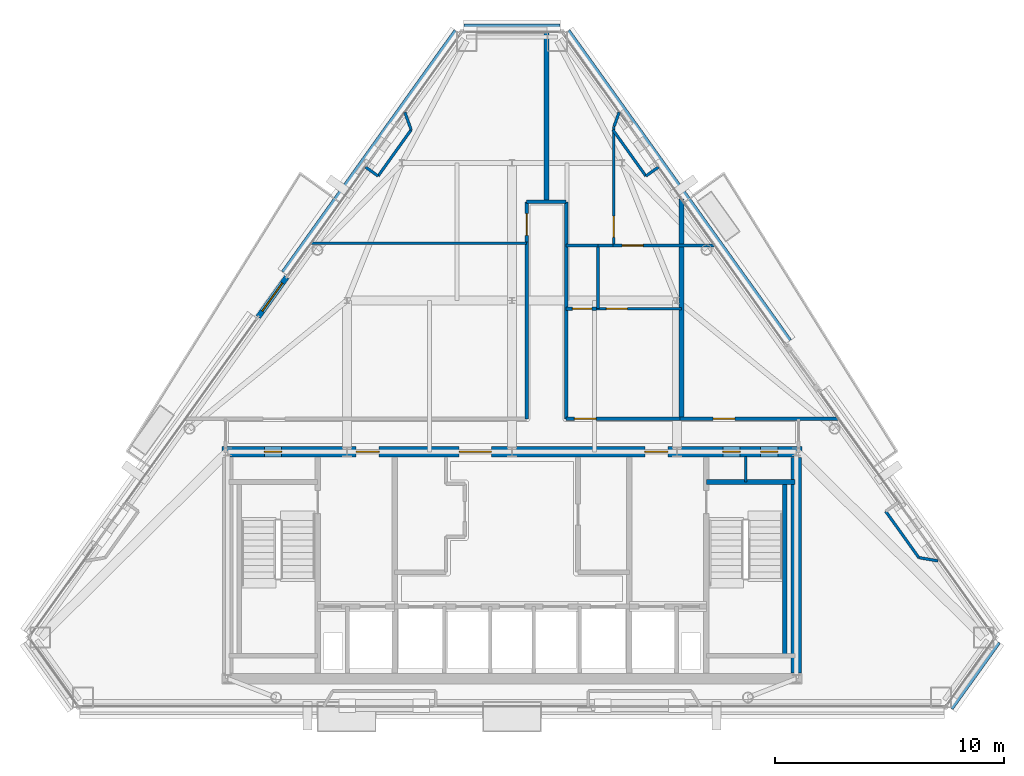
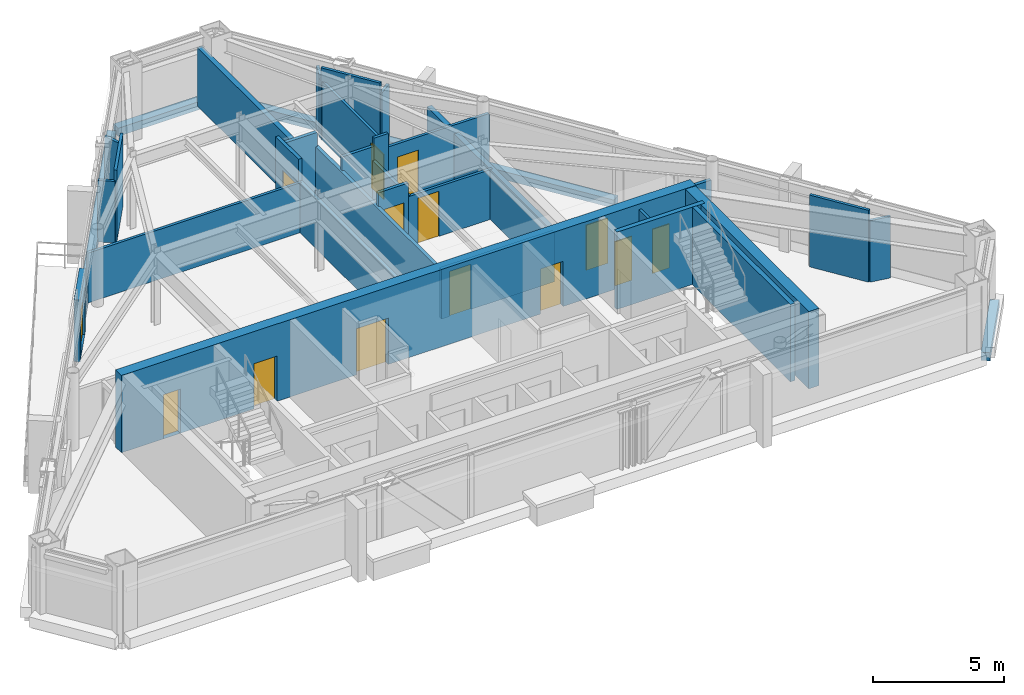
# One storey, part 9 of 12: 34 walls, 14 doors, 14 openings.
"""IFC4 building model written with IfcOpenShell, lengths in metres."""

from ifc_helpers import new_model, si_unit, direction, frame, frame_2d, origin, place, context, subcontext, project, spatial, rectangle, extrude, material, layer, layer_set, type_object, element, fill, save


model = new_model("IFC4")

# Units and contexts
model_context = context("Model", 3, precision=1e-05, world=origin(), true_north=direction((0.0, 1.0)))
body_context = subcontext(model_context, "Body", "Model", "MODEL_VIEW")
ifc_project = project(units=[si_unit("LENGTHUNIT", "METRE"), si_unit("AREAUNIT", "SQUARE_METRE"), si_unit("VOLUMEUNIT", "CUBIC_METRE"), si_unit("PLANEANGLEUNIT", "RADIAN"), si_unit("MASSUNIT", "GRAM", prefix="KILO")], contexts=[model_context])

# Site, building, storey
site_placement = place(None, origin())
site = spatial("IfcSite", under=ifc_project, at=site_placement, CompositionType="ELEMENT")
building_placement = place(site_placement, origin())
building = spatial("IfcBuilding", under=site, at=building_placement, Name="Talgorran Terracotta Tower", CompositionType="ELEMENT")
storey_placement = place(building_placement, frame((0.0, 0.0, 267.0)))
storey = spatial("IfcBuildingStorey", under=building, at=storey_placement, Name="L70", CompositionType="ELEMENT", Elevation=267.0)

# Wall, opening, door
ifc_material_1 = material(Name="Concrete C40/50", Category="concrete")
ifc_layer_1 = layer(ifc_material_1, 0.239990234375, Name="WT_BALCONY_SPAND")
ifc_layer_set_1 = layer_set([ifc_layer_1], Name="Concrete C40/50")
wall_type_1 = type_object("IfcWallType", Name="WT_BALCONY_SPAND", PredefinedType="STANDARD", material=ifc_layer_set_1)
wall_1_placement = place(storey_placement, frame((-9.830810546875, 3.42041015625, -0.014892578125), z_axis=(0.0, 0.0, 1.0), x_axis=(-0.581756116184, -0.81336327756, 0.0)))
wall_1 = element("IfcWall", 1, at=wall_1_placement, inside=storey, type_object=wall_type_1, Name="WL-L70-BALP-BAL-NW", PredefinedType="STANDARD", context=body_context, shape_type="SweptSolid", body=[
    extrude(rectangle(XDim=2.139892578125, YDim=0.239990234375, at=frame_2d((1.06982421875, 0.0))), origin(), (0.0, 0.0, 1.0), 2.8779296875),
])
opening_1_placement = place(wall_1_placement, frame((0.320068359375, 0.0, 0.014892578125)))
opening_1 = element("IfcOpeningElement", 2, at=opening_1_placement, cuts=wall_1, Name="Opening D-BAL-L70-2", PredefinedType="OPENING", context=body_context, shape_type="SweptSolid", body=[
    extrude(rectangle(XDim=1.506, YDim=2.203951171875, at=frame_2d((0.75, 1.10205078125))), frame((0.0, 0.1298828125, 0.0), z_axis=(0.0, -1.0, 0.0), x_axis=(1.0, 0.0, 0.0)), (0.0, 0.0, 1.0), 0.260009765625),
])
ifc_material_2 = material(Name="Thermally Broken Aluminium", Category="aluminium")
door_type_1 = type_object("IfcDoorType", Name="DT_BALC_1500", OperationType="SLIDING_TO_RIGHT", PredefinedType="DOOR", material=ifc_material_2)
door_1_placement = place(opening_1_placement, origin())
door_1 = element("IfcDoor", 3, at=door_1_placement, inside=storey, type_object=door_type_1, Name="DR-L70-BAL-BAL-NW", OperationType="SLIDING_TO_RIGHT", OverallHeight=2.199951171875, OverallWidth=1.5, PredefinedType="DOOR", context=body_context, shape_type="SweptSolid", body=[
    extrude(rectangle(XDim=1.5, YDim=2.199951171875, at=frame_2d((0.75, 1.10009765625))), frame((0.0, 0.02490234375, 0.0), z_axis=(0.0, -1.0, 0.0), x_axis=(1.0, 0.0, 0.0)), (0.0, 0.0, 1.0), 0.050048828125),
])
fill(opening_1, door_1)

# Walls
ifc_material_3 = material(Name="Concrete C50/60", Category="concrete")
ifc_layer_2 = layer(ifc_material_3, 0.199951171875, Name="WT_CORE_200")
ifc_layer_set_2 = layer_set([ifc_layer_2], Name="Concrete C50/60")
wall_type_2 = type_object("IfcWallType", Name="WT_CORE_200", PredefinedType="SOLIDWALL", material=ifc_layer_set_2)
wall_2_placement = place(storey_placement, frame((8.47998046875, -5.52001953125, 0.0), z_axis=(0.0, 0.0, 1.0), x_axis=(1.0, 0.0, 0.0)))
element("IfcWall", 4, at=wall_2_placement, inside=storey, type_object=wall_type_2, Name="WL-L70-CW-ST2-N", PredefinedType="SOLIDWALL", context=body_context, shape_type="SweptSolid", body=[
    extrude(rectangle(XDim=3.8701171875, YDim=0.199951171875, at=frame_2d((1.93505859375, 0.0))), origin(), (0.0, 0.0, 1.0), 3.60009765625),
])
wall_3_placement = place(storey_placement, frame((11.89990234375, -13.10009765625, 0.0), z_axis=(0.0, 0.0, 1.0), x_axis=(0.0, 1.0, 0.0)))
element("IfcWall", 5, at=wall_3_placement, inside=storey, type_object=wall_type_2, Name="WL-L70-CW-ST2-E", PredefinedType="SOLIDWALL", context=body_context, shape_type="SweptSolid", body=[
    extrude(rectangle(XDim=7.580078125, YDim=0.199951171875, at=frame_2d((3.7900390625, 0.0))), origin(), (0.0, 0.0, 1.0), 3.60009765625),
])

# Wall, openings, doors
ifc_material_4 = material(Name="Concrete C65/80", Category="concrete")
ifc_layer_3 = layer(ifc_material_4, 0.449951171875, Name="WT_CORE_EXT")
ifc_layer_set_3 = layer_set([ifc_layer_3], Name="Concrete C65/80")
wall_type_3 = type_object("IfcWallType", Name="WT_CORE_EXT", PredefinedType="SHEAR", material=ifc_layer_set_3)
wall_4_placement = place(storey_placement, frame((-12.64990234375, -4.199951171875, 0.0), z_axis=(0.0, 0.0, 1.0), x_axis=(1.0, 0.0, 0.0)))
wall_4 = element("IfcWall", 6, at=wall_4_placement, inside=storey, type_object=wall_type_3, Name="WL-L70-CW-OUT-N", PredefinedType="SHEAR", context=body_context, shape_type="SweptSolid", body=[
    extrude(rectangle(XDim=25.2998046875, YDim=0.449951171875, at=frame_2d((12.64990234375, 0.0))), origin(), (0.0, 0.0, 1.0), 3.60009765625),
])
opening_2_placement = place(wall_4_placement, frame((1.85009765625, 0.0, 0.0)))
opening_2 = element("IfcOpeningElement", 7, at=opening_2_placement, cuts=wall_4, Name="Opening DR-CSN1", PredefinedType="OPENING", context=body_context, shape_type="SweptSolid", body=[
    extrude(rectangle(XDim=0.756, YDim=2.054048828125, at=frame_2d((0.375, 1.027099609375))), frame((0.0, 0.23486328125, 0.0), z_axis=(0.0, -1.0, 0.0), x_axis=(1.0, 0.0, 0.0)), (0.0, 0.0, 1.0), 0.469970703125),
])
opening_3_placement = place(wall_4_placement, frame((21.85009765625, 0.0, 0.0)))
opening_3 = element("IfcOpeningElement", 8, at=opening_3_placement, cuts=wall_4, Name="Opening DR-CSN2", PredefinedType="OPENING", context=body_context, shape_type="SweptSolid", body=[
    extrude(rectangle(XDim=0.756, YDim=2.054048828125, at=frame_2d((0.375, 1.027099609375))), frame((0.0, 0.23486328125, 0.0), z_axis=(0.0, -1.0, 0.0), x_axis=(1.0, 0.0, 0.0)), (0.0, 0.0, 1.0), 0.469970703125),
])
opening_4_placement = place(wall_4_placement, frame((23.5, 0.0, 0.0)))
opening_4 = element("IfcOpeningElement", 9, at=opening_4_placement, cuts=wall_4, Name="Opening DR-CSN3", PredefinedType="OPENING", context=body_context, shape_type="SweptSolid", body=[
    extrude(rectangle(XDim=0.756, YDim=2.054048828125, at=frame_2d((0.375, 1.027099609375))), frame((0.0, 0.23486328125, 0.0), z_axis=(0.0, -1.0, 0.0), x_axis=(1.0, 0.0, 0.0)), (0.0, 0.0, 1.0), 0.469970703125),
])
opening_5_placement = place(wall_4_placement, frame((5.85009765625, 0.0, 0.0)))
opening_5 = element("IfcOpeningElement", 10, at=opening_5_placement, cuts=wall_4, Name="Opening DR-FFLW-N", PredefinedType="OPENING", context=body_context, shape_type="SweptSolid", body=[
    extrude(rectangle(XDim=1.006, YDim=2.10409765625, at=frame_2d((0.5, 1.052001953125))), frame((0.0, 0.23486328125, 0.0), z_axis=(0.0, -1.0, 0.0), x_axis=(1.0, 0.0, 0.0)), (0.0, 0.0, 1.0), 0.469970703125),
])
opening_6_placement = place(wall_4_placement, frame((10.35009765625, 0.0, 0.0)))
opening_6 = element("IfcOpeningElement", 11, at=opening_6_placement, cuts=wall_4, Name="Opening DR-PLL-N", PredefinedType="OPENING", context=body_context, shape_type="SweptSolid", body=[
    extrude(rectangle(XDim=1.40590234375, YDim=2.15390234375, at=frame_2d((0.699951171875, 1.076904296875))), frame((0.0, 0.23486328125, 0.0), z_axis=(0.0, -1.0, 0.0), x_axis=(1.0, 0.0, 0.0)), (0.0, 0.0, 1.0), 0.469970703125),
])
opening_7_placement = place(wall_4_placement, frame((18.449951171875, 0.0, 0.0)))
opening_7 = element("IfcOpeningElement", 12, at=opening_7_placement, cuts=wall_4, Name="Opening DR-FFLE-N", PredefinedType="OPENING", context=body_context, shape_type="SweptSolid", body=[
    extrude(rectangle(XDim=1.006, YDim=2.10409765625, at=frame_2d((0.5, 1.052001953125))), frame((0.0, 0.23486328125, 0.0), z_axis=(0.0, -1.0, 0.0), x_axis=(1.0, 0.0, 0.0)), (0.0, 0.0, 1.0), 0.469970703125),
])
ifc_material_5 = material(Name="Acoustic Glazed Timber", Category="wood")
door_type_2 = type_object("IfcDoorType", Name="DT_DOUBLE_1400", OperationType="DOUBLE_DOOR_SINGLE_SWING", PredefinedType="DOOR", material=ifc_material_5)
door_2_placement = place(opening_6_placement, origin())
door_2 = element("IfcDoor", 13, at=door_2_placement, inside=storey, type_object=door_type_2, Name="DR-PLL-N", OperationType="DOUBLE_DOOR_SINGLE_SWING", OverallHeight=2.14990234375, OverallWidth=1.39990234375, PredefinedType="DOOR", context=body_context, shape_type="SweptSolid", body=[
    extrude(rectangle(XDim=1.39990234375, YDim=2.14990234375, at=frame_2d((0.699951171875, 1.074951171875))), frame((0.0, 0.02490234375, 0.0), z_axis=(0.0, -1.0, 0.0), x_axis=(1.0, 0.0, 0.0)), (0.0, 0.0, 1.0), 0.050048828125),
])
fill(opening_6, door_2)
ifc_material_6 = material(Name="Fire-Rated Pressed Steel", Category="steel")
door_type_3 = type_object("IfcDoorType", Name="DT_FIRE_1000", OperationType="NOTDEFINED", PredefinedType="DOOR", material=ifc_material_6)
door_3_placement = place(opening_5_placement, origin())
door_3 = element("IfcDoor", 14, at=door_3_placement, inside=storey, type_object=door_type_3, Name="DR-FFLW-N", OperationType="SINGLE_SWING_LEFT", OverallHeight=2.10009765625, OverallWidth=1.0, PredefinedType="DOOR", context=body_context, shape_type="SweptSolid", body=[
    extrude(rectangle(XDim=1.0, YDim=2.10009765625, at=frame_2d((0.5, 1.050048828125))), frame((0.0, 0.02490234375, 0.0), z_axis=(0.0, -1.0, 0.0), x_axis=(1.0, 0.0, 0.0)), (0.0, 0.0, 1.0), 0.050048828125),
])
fill(opening_5, door_3)
door_4_placement = place(opening_7_placement, origin())
door_4 = element("IfcDoor", 15, at=door_4_placement, inside=storey, type_object=door_type_3, Name="DR-FFLE-N", OperationType="SINGLE_SWING_RIGHT", OverallHeight=2.10009765625, OverallWidth=1.0, PredefinedType="DOOR", context=body_context, shape_type="SweptSolid", body=[
    extrude(rectangle(XDim=1.0, YDim=2.10009765625, at=frame_2d((0.5, 1.050048828125))), frame((0.0, 0.02490234375, 0.0), z_axis=(0.0, -1.0, 0.0), x_axis=(1.0, 0.0, 0.0)), (0.0, 0.0, 1.0), 0.050048828125),
])
fill(opening_7, door_4)
door_type_4 = type_object("IfcDoorType", Name="DT_RISER_750", OperationType="NOTDEFINED", PredefinedType="DOOR", material=ifc_material_6)
door_5_placement = place(opening_2_placement, origin())
door_5 = element("IfcDoor", 16, at=door_5_placement, inside=storey, type_object=door_type_4, Name="DR-CSN1", OperationType="SINGLE_SWING_LEFT", OverallHeight=2.050048828125, OverallWidth=0.75, PredefinedType="DOOR", context=body_context, shape_type="SweptSolid", body=[
    extrude(rectangle(XDim=0.75, YDim=2.050048828125, at=frame_2d((0.375, 1.02490234375))), frame((0.0, 0.02490234375, 0.0), z_axis=(0.0, -1.0, 0.0), x_axis=(1.0, 0.0, 0.0)), (0.0, 0.0, 1.0), 0.050048828125),
])
fill(opening_2, door_5)
door_6_placement = place(opening_3_placement, origin())
door_6 = element("IfcDoor", 17, at=door_6_placement, inside=storey, type_object=door_type_4, Name="DR-CSN2", OperationType="SINGLE_SWING_LEFT", OverallHeight=2.050048828125, OverallWidth=0.75, PredefinedType="DOOR", context=body_context, shape_type="SweptSolid", body=[
    extrude(rectangle(XDim=0.75, YDim=2.050048828125, at=frame_2d((0.375, 1.02490234375))), frame((0.0, 0.02490234375, 0.0), z_axis=(0.0, -1.0, 0.0), x_axis=(1.0, 0.0, 0.0)), (0.0, 0.0, 1.0), 0.050048828125),
])
fill(opening_3, door_6)
door_7_placement = place(opening_4_placement, origin())
door_7 = element("IfcDoor", 18, at=door_7_placement, inside=storey, type_object=door_type_4, Name="DR-CSN3", OperationType="SINGLE_SWING_RIGHT", OverallHeight=2.050048828125, OverallWidth=0.75, PredefinedType="DOOR", context=body_context, shape_type="SweptSolid", body=[
    extrude(rectangle(XDim=0.75, YDim=2.050048828125, at=frame_2d((0.375, 1.02490234375))), frame((0.0, 0.02490234375, 0.0), z_axis=(0.0, -1.0, 0.0), x_axis=(1.0, 0.0, 0.0)), (0.0, 0.0, 1.0), 0.050048828125),
])
fill(opening_4, door_7)

# Walls
wall_5_placement = place(storey_placement, frame((12.39990234375, -13.85009765625, 0.0), z_axis=(0.0, 0.0, 1.0), x_axis=(0.0, 1.0, 0.0)))
element("IfcWall", 19, at=wall_5_placement, inside=storey, type_object=wall_type_3, Name="WL-L70-CW-OUT-E", PredefinedType="SHEAR", context=body_context, shape_type="SweptSolid", body=[
    extrude(rectangle(XDim=9.400146484375, YDim=0.449951171875, at=frame_2d((4.7001953125, 0.0))), origin(), (0.0, 0.0, 1.0), 3.60009765625),
])
ifc_material_7 = material(Name="Fire-Rated Steel Stud Plasterboard", Category="steel")
ifc_layer_4 = layer(ifc_material_7, 0.14990234375, Name="WT_FIRE_150")
ifc_layer_set_4 = layer_set([ifc_layer_4], Name="Fire-Rated Steel Stud Plasterboard")
wall_type_4 = type_object("IfcWallType", Name="WT_FIRE_150", PredefinedType="PARTITIONING", material=ifc_layer_set_4)
wall_6_placement = place(storey_placement, frame((0.639892578125, -2.760009765625, 0.0), z_axis=(0.0, 0.0, 1.0), x_axis=(0.0, 1.0, 0.0)))
element("IfcWall", 20, at=wall_6_placement, inside=storey, type_object=wall_type_4, Name="WL-L70-W-L70-R12", PredefinedType="PARTITIONING", context=body_context, shape_type="SweptSolid", body=[
    extrude(rectangle(XDim=7.719970703125, YDim=0.14990234375, at=frame_2d((3.85986328125, 0.0))), origin(), (0.0, 0.0, 1.0), 2.320068359375),
])

# Wall, opening, door
wall_7_placement = place(storey_placement, frame((7.340087890625, -2.760009765625, 0.0), z_axis=(0.0, 0.0, 1.0), x_axis=(1.0, 0.0, 0.0)))
wall_7 = element("IfcWall", 21, at=wall_7_placement, inside=storey, type_object=wall_type_4, Name="WL-L70-W-L70-R10", PredefinedType="PARTITIONING", context=body_context, shape_type="SweptSolid", body=[
    extrude(rectangle(XDim=6.9111328125, YDim=0.14990234375, at=frame_2d((3.45556640625, 0.0))), origin(), (0.0, 0.0, 1.0), 2.320068359375),
])
opening_8_placement = place(wall_7_placement, frame((1.43017578125, 0.0, 0.0)))
opening_8 = element("IfcOpeningElement", 22, at=opening_8_placement, cuts=wall_7, Name="Opening DR-L70-R08", PredefinedType="OPENING", context=body_context, shape_type="SweptSolid", body=[
    extrude(rectangle(XDim=0.955951171875, YDim=2.10409765625, at=frame_2d((0.47509765625, 1.052001953125))), frame((0.0, 0.0849609375, 0.0), z_axis=(0.0, -1.0, 0.0), x_axis=(1.0, 0.0, 0.0)), (0.0, 0.0, 1.0), 0.169921875),
])
ifc_material_8 = material(Name="Fire-Rated Timber Core", Category="wood")
door_type_5 = type_object("IfcDoorType", Name="DT_FIRE_950", OperationType="NOTDEFINED", PredefinedType="DOOR", material=ifc_material_8)
door_8_placement = place(opening_8_placement, origin())
door_8 = element("IfcDoor", 23, at=door_8_placement, inside=storey, type_object=door_type_5, Name="DR-L70-R08", OperationType="SINGLE_SWING_RIGHT", OverallHeight=2.10009765625, OverallWidth=0.949951171875, PredefinedType="DOOR", context=body_context, shape_type="SweptSolid", body=[
    extrude(rectangle(XDim=0.949951171875, YDim=2.10009765625, at=frame_2d((0.47509765625, 1.050048828125))), frame((0.0, 0.02490234375, 0.0), z_axis=(0.0, -1.0, 0.0), x_axis=(1.0, 0.0, 0.0)), (0.0, 0.0, 1.0), 0.050048828125),
])
fill(opening_8, door_8)

wall_8_placement = place(storey_placement, frame((2.360107421875, -2.760009765625, 0.0), z_axis=(0.0, 0.0, 1.0), x_axis=(1.0, 0.0, 0.0)))
wall_8 = element("IfcWall", 24, at=wall_8_placement, inside=storey, type_object=wall_type_4, Name="WL-L70-W-L70-R06", PredefinedType="PARTITIONING", context=body_context, shape_type="SweptSolid", body=[
    extrude(rectangle(XDim=4.977783203125, YDim=0.14990234375, at=frame_2d((2.48876953125, 0.0))), origin(), (0.0, 0.0, 1.0), 2.320068359375),
])
opening_9_placement = place(wall_8_placement, frame((0.359375, 0.0, 0.0)))
opening_9 = element("IfcOpeningElement", 25, at=opening_9_placement, cuts=wall_8, Name="Opening DR-L70-R04", PredefinedType="OPENING", context=body_context, shape_type="SweptSolid", body=[
    extrude(rectangle(XDim=0.955951171875, YDim=2.10409765625, at=frame_2d((0.47509765625, 1.052001953125))), frame((0.0, 0.0849609375, 0.0), z_axis=(0.0, -1.0, 0.0), x_axis=(1.0, 0.0, 0.0)), (0.0, 0.0, 1.0), 0.169921875),
])
door_9_placement = place(opening_9_placement, origin())
door_9 = element("IfcDoor", 26, at=door_9_placement, inside=storey, type_object=door_type_5, Name="DR-L70-R04", OperationType="SINGLE_SWING_RIGHT", OverallHeight=2.10009765625, OverallWidth=0.949951171875, PredefinedType="DOOR", context=body_context, shape_type="SweptSolid", body=[
    extrude(rectangle(XDim=0.949951171875, YDim=2.10009765625, at=frame_2d((0.47509765625, 1.050048828125))), frame((0.0, 0.02490234375, 0.0), z_axis=(0.0, -1.0, 0.0), x_axis=(1.0, 0.0, 0.0)), (0.0, 0.0, 1.0), 0.050048828125),
])
fill(opening_9, door_9)

# Wall
wall_9_placement = place(storey_placement, frame((2.360107421875, -2.760009765625, 0.0), z_axis=(0.0, 0.0, 1.0), x_axis=(0.0, 1.0, 0.0)))
element("IfcWall", 27, at=wall_9_placement, inside=storey, type_object=wall_type_4, Name="WL-L70-W-L70-R05", PredefinedType="PARTITIONING", context=body_context, shape_type="SweptSolid", body=[
    extrude(rectangle(XDim=9.4599609375, YDim=0.14990234375, at=frame_2d((4.72998046875, 0.0))), origin(), (0.0, 0.0, 1.0), 2.320068359375),
])

# Wall, opening, door
wall_10_placement = place(storey_placement, frame((0.639892578125, 4.9619140625, 0.0), z_axis=(0.0, 0.0, 1.0), x_axis=(0.0, 1.0, 0.0)))
wall_10 = element("IfcWall", 28, at=wall_10_placement, inside=storey, type_object=wall_type_4, Name="WL-L70-W-L70-R03", PredefinedType="PARTITIONING", context=body_context, shape_type="SweptSolid", body=[
    extrude(rectangle(XDim=1.738037109375, YDim=0.14990234375, at=frame_2d((0.869140625, 0.0))), origin(), (0.0, 0.0, 1.0), 3.344970703125),
])
opening_10_placement = place(wall_10_placement, frame((0.27392578125, 0.0, 0.0)))
opening_10 = element("IfcOpeningElement", 29, at=opening_10_placement, cuts=wall_10, Name="Opening DR-L70-R03", PredefinedType="OPENING", context=body_context, shape_type="SweptSolid", body=[
    extrude(rectangle(XDim=0.955951171875, YDim=2.10409765625, at=frame_2d((0.47509765625, 1.052001953125))), frame((0.0, 0.0849609375, 0.0), z_axis=(0.0, -1.0, 0.0), x_axis=(1.0, 0.0, 0.0)), (0.0, 0.0, 1.0), 0.169921875),
])
door_10_placement = place(opening_10_placement, origin())
door_10 = element("IfcDoor", 30, at=door_10_placement, inside=storey, type_object=door_type_5, Name="DR-L70-R03", OperationType="SINGLE_SWING_LEFT", OverallHeight=2.10009765625, OverallWidth=0.949951171875, PredefinedType="DOOR", context=body_context, shape_type="SweptSolid", body=[
    extrude(rectangle(XDim=0.949951171875, YDim=2.10009765625, at=frame_2d((0.47509765625, 1.050048828125))), frame((0.0, 0.02490234375, 0.0), z_axis=(0.0, -1.0, 0.0), x_axis=(1.0, 0.0, 0.0)), (0.0, 0.0, 1.0), 0.050048828125),
])
fill(opening_10, door_10)

# Walls
wall_11_placement = place(storey_placement, frame((0.639892578125, 6.699951171875, 0.0), z_axis=(0.0, 0.0, 1.0), x_axis=(1.0, 0.0, 0.0)))
element("IfcWall", 31, at=wall_11_placement, inside=storey, type_object=wall_type_4, Name="WL-L70-W-L70-R04", PredefinedType="PARTITIONING", context=body_context, shape_type="SweptSolid", body=[
    extrude(rectangle(XDim=1.72021484375, YDim=0.14990234375, at=frame_2d((0.860107421875, 0.0))), origin(), (0.0, 0.0, 1.0), 2.96435546875),
])
ifc_layer_5 = layer(ifc_material_1, 0.219970703125, Name="WT_PARAPET_RC")
ifc_layer_set_5 = layer_set([ifc_layer_5], Name="Concrete C40/50")
wall_type_5 = type_object("IfcWallType", Name="WT_PARAPET_RC", PredefinedType="PARAPET", material=ifc_layer_set_5)
wall_12_placement = place(storey_placement, frame((19.0966796875, -15.346923828125, -0.199951171875), z_axis=(0.0, 0.0, 1.0), x_axis=(0.581765408816, 0.813356630947, 0.0)))
element("IfcWall", 32, at=wall_12_placement, inside=storey, type_object=wall_type_5, Name="L70 Striped Portal Precast Cornice F2", PredefinedType="PARAPET", context=body_context, shape_type="SweptSolid", body=[
    extrude(rectangle(XDim=3.54736328125, YDim=0.360107421875, at=frame_2d((1.773681640625, 0.0))), origin(), (0.0, 0.0, 1.0), 0.3798828125),
])
wall_13_placement = place(storey_placement, frame((12.041748046875, 0.604248046875, -0.199951171875), z_axis=(0.0, 0.0, 1.0), x_axis=(-0.581727587341, 0.813383681989, 0.0)))
element("IfcWall", 33, at=wall_13_placement, inside=storey, type_object=wall_type_5, Name="L70 Striped Portal Precast Cornice F41", PredefinedType="PARAPET", context=body_context, shape_type="SweptSolid", body=[
    extrude(rectangle(XDim=16.607177734375, YDim=0.360107421875, at=frame_2d((8.3037109375, 0.0))), origin(), (0.0, 0.0, 1.0), 0.3798828125),
])
wall_14_placement = place(storey_placement, frame((2.100830078125, 14.27685546875, -0.199951171875), z_axis=(0.0, 0.0, 1.0), x_axis=(-1.0, 0.0, 0.0)))
element("IfcWall", 34, at=wall_14_placement, inside=storey, type_object=wall_type_5, Name="L70 Striped Portal Precast Cornice F4", PredefinedType="PARAPET", context=body_context, shape_type="SweptSolid", body=[
    extrude(rectangle(XDim=4.20166015625, YDim=0.360107421875, at=frame_2d((2.100830078125, 0.0))), origin(), (0.0, 0.0, 1.0), 0.3798828125),
])
wall_15_placement = place(storey_placement, frame((-2.380859375, 14.1123046875, -0.199951171875), z_axis=(0.0, 0.0, 1.0), x_axis=(-0.581734227536, -0.813378932917, 0.0)))
element("IfcWall", 35, at=wall_15_placement, inside=storey, type_object=wall_type_5, Name="L70 Striped Portal Precast Cornice F60", PredefinedType="PARAPET", context=body_context, shape_type="SweptSolid", body=[
    extrude(rectangle(XDim=12.9404296875, YDim=0.360107421875, at=frame_2d((6.47021484375, 0.0))), origin(), (0.0, 0.0, 1.0), 0.3798828125),
])
ifc_material_9 = material(Name="Acoustic Masonry and Plasterboard", Category="masonry")
ifc_layer_6 = layer(ifc_material_9, 0.219970703125, Name="WT_PARTY_220")
ifc_layer_set_6 = layer_set([ifc_layer_6], Name="Acoustic Masonry and Plasterboard")
wall_type_6 = type_object("IfcWallType", Name="WT_PARTY_220", PredefinedType="PARTITIONING", material=ifc_layer_set_6)
wall_16_placement = place(storey_placement, frame((1.5, 6.699951171875, 0.0), z_axis=(0.0, 0.0, 1.0), x_axis=(0.0, 1.0, 0.0)))
element("IfcWall", 36, at=wall_16_placement, inside=storey, type_object=wall_type_6, Name="WL-L70-W-L70-R13", PredefinedType="PARTITIONING", context=body_context, shape_type="SweptSolid", body=[
    extrude(rectangle(XDim=7.416748046875, YDim=0.219970703125, at=frame_2d((3.70849609375, 0.0))), origin(), (0.0, 0.0, 1.0), 2.718017578125),
])
wall_17_placement = place(storey_placement, frame((7.39990234375, -2.760009765625, 0.0), z_axis=(0.0, 0.0, 1.0), x_axis=(0.0, 1.0, 0.0)))
element("IfcWall", 37, at=wall_17_placement, inside=storey, type_object=wall_type_6, Name="WL-L70-W-L70-R17", PredefinedType="PARTITIONING", context=body_context, shape_type="SweptSolid", body=[
    extrude(rectangle(XDim=9.579345703125, YDim=0.219970703125, at=frame_2d((4.78955078125, 0.0))), origin(), (0.0, 0.0, 1.0), 2.320068359375),
])
ifc_material_10 = material(Name="Insulated Steel Stud Plasterboard", Category="steel")
ifc_layer_7 = layer(ifc_material_10, 0.1201171875, Name="WT_PART_120")
ifc_layer_set_7 = layer_set([ifc_layer_7], Name="Insulated Steel Stud Plasterboard")
wall_type_7 = type_object("IfcWallType", Name="WT_PART_120", PredefinedType="PARTITIONING", material=ifc_layer_set_7)
wall_18_placement = place(storey_placement, frame((10.199951171875, -5.52001953125, 0.0), z_axis=(0.0, 0.0, 1.0), x_axis=(0.0, 1.0, 0.0)))
element("IfcWall", 38, at=wall_18_placement, inside=storey, type_object=wall_type_7, Name="WL-L70-CW-CSE-DIV", PredefinedType="PARTITIONING", context=body_context, shape_type="SweptSolid", body=[
    extrude(rectangle(XDim=1.1201171875, YDim=0.1201171875, at=frame_2d((0.56005859375, 0.0))), origin(), (0.0, 0.0, 1.0), 3.344970703125),
])
wall_19_placement = place(storey_placement, frame((-8.772705078125, 4.89990234375, 0.0), z_axis=(0.0, 0.0, 1.0), x_axis=(1.0, 0.0, 0.0)))
element("IfcWall", 39, at=wall_19_placement, inside=storey, type_object=wall_type_7, Name="WL-L70-W-L70-R14", PredefinedType="PARTITIONING", context=body_context, shape_type="SweptSolid", body=[
    extrude(rectangle(XDim=9.41259765625, YDim=0.1201171875, at=frame_2d((4.706298828125, 0.0))), origin(), (0.0, 0.0, 1.0), 2.320068359375),
])

# Wall, opening, door
wall_20_placement = place(storey_placement, frame((4.43994140625, 4.800048828125, 0.0), z_axis=(0.0, 0.0, 1.0), x_axis=(0.0, 1.0, 0.0)))
wall_20 = element("IfcWall", 40, at=wall_20_placement, inside=storey, type_object=wall_type_7, Name="WL-L70-W-L70-R23", PredefinedType="PARTITIONING", context=body_context, shape_type="SweptSolid", body=[
    extrude(rectangle(XDim=5.199951171875, YDim=0.1201171875, at=frame_2d((2.60009765625, 0.0))), origin(), (0.0, 0.0, 1.0), 2.718017578125),
])
opening_11_placement = place(wall_20_placement, frame((0.358642578125, 0.0, 0.0)))
opening_11 = element("IfcOpeningElement", 41, at=opening_11_placement, cuts=wall_20, Name="Opening DR-L70-R07", PredefinedType="OPENING", context=body_context, shape_type="SweptSolid", body=[
    extrude(rectangle(XDim=0.925921875, YDim=2.10409765625, at=frame_2d((0.4599609375, 1.052001953125))), frame((0.0, 0.070068359375, 0.0), z_axis=(0.0, -1.0, 0.0), x_axis=(1.0, 0.0, 0.0)), (0.0, 0.0, 1.0), 0.14013671875),
])
ifc_material_11 = material(Name="Solid-Core Painted Timber", Category="wood")
door_type_6 = type_object("IfcDoorType", Name="DT_INT_920", OperationType="NOTDEFINED", PredefinedType="DOOR", material=ifc_material_11)
door_11_placement = place(opening_11_placement, origin())
door_11 = element("IfcDoor", 42, at=door_11_placement, inside=storey, type_object=door_type_6, Name="DR-L70-R07", OperationType="SINGLE_SWING_LEFT", OverallHeight=2.10009765625, OverallWidth=0.919921875, PredefinedType="DOOR", context=body_context, shape_type="SweptSolid", body=[
    extrude(rectangle(XDim=0.919921875, YDim=2.10009765625, at=frame_2d((0.4599609375, 1.050048828125))), frame((0.0, 0.02490234375, 0.0), z_axis=(0.0, -1.0, 0.0), x_axis=(1.0, 0.0, 0.0)), (0.0, 0.0, 1.0), 0.050048828125),
])
fill(opening_11, door_11)

wall_21_placement = place(storey_placement, frame((4.39990234375, 4.800048828125, 0.0), z_axis=(0.0, 0.0, 1.0), x_axis=(1.0, 0.0, 0.0)))
wall_21 = element("IfcWall", 43, at=wall_21_placement, inside=storey, type_object=wall_type_7, Name="WL-L70-W-L70-R21", PredefinedType="PARTITIONING", context=body_context, shape_type="SweptSolid", body=[
    extrude(rectangle(XDim=4.4443359375, YDim=0.1201171875, at=frame_2d((2.22216796875, 0.0))), origin(), (0.0, 0.0, 1.0), 2.718017578125),
])
opening_12_placement = place(wall_21_placement, frame((0.39990234375, 0.0, 0.0)))
opening_12 = element("IfcOpeningElement", 44, at=opening_12_placement, cuts=wall_21, Name="Opening DR-L70-R10", PredefinedType="OPENING", context=body_context, shape_type="SweptSolid", body=[
    extrude(rectangle(XDim=0.925921875, YDim=2.10409765625, at=frame_2d((0.4599609375, 1.052001953125))), frame((0.0, 0.070068359375, 0.0), z_axis=(0.0, -1.0, 0.0), x_axis=(1.0, 0.0, 0.0)), (0.0, 0.0, 1.0), 0.14013671875),
])
door_12_placement = place(opening_12_placement, origin())
door_12 = element("IfcDoor", 45, at=door_12_placement, inside=storey, type_object=door_type_6, Name="DR-L70-R10", OperationType="SINGLE_SWING_RIGHT", OverallHeight=2.10009765625, OverallWidth=0.919921875, PredefinedType="DOOR", context=body_context, shape_type="SweptSolid", body=[
    extrude(rectangle(XDim=0.919921875, YDim=2.10009765625, at=frame_2d((0.4599609375, 1.050048828125))), frame((0.0, 0.02490234375, 0.0), z_axis=(0.0, -1.0, 0.0), x_axis=(1.0, 0.0, 0.0)), (0.0, 0.0, 1.0), 0.050048828125),
])
fill(opening_12, door_12)

wall_22_placement = place(storey_placement, frame((3.679931640625, 2.0400390625, 0.0), z_axis=(0.0, 0.0, 1.0), x_axis=(1.0, 0.0, 0.0)))
wall_22 = element("IfcWall", 46, at=wall_22_placement, inside=storey, type_object=wall_type_7, Name="WL-L70-W-L70-R16", PredefinedType="PARTITIONING", context=body_context, shape_type="SweptSolid", body=[
    extrude(rectangle(XDim=3.719970703125, YDim=0.1201171875, at=frame_2d((1.85986328125, 0.0))), origin(), (0.0, 0.0, 1.0), 2.320068359375),
])
opening_13_placement = place(wall_22_placement, frame((0.43505859375, 0.0, 0.0)))
opening_13 = element("IfcOpeningElement", 47, at=opening_13_placement, cuts=wall_22, Name="Opening DR-L70-R06", PredefinedType="OPENING", context=body_context, shape_type="SweptSolid", body=[
    extrude(rectangle(XDim=0.925921875, YDim=2.10409765625, at=frame_2d((0.4599609375, 1.052001953125))), frame((0.0, 0.070068359375, 0.0), z_axis=(0.0, -1.0, 0.0), x_axis=(1.0, 0.0, 0.0)), (0.0, 0.0, 1.0), 0.14013671875),
])
door_13_placement = place(opening_13_placement, origin())
door_13 = element("IfcDoor", 48, at=door_13_placement, inside=storey, type_object=door_type_6, Name="DR-L70-R06", OperationType="SINGLE_SWING_RIGHT", OverallHeight=2.10009765625, OverallWidth=0.919921875, PredefinedType="DOOR", context=body_context, shape_type="SweptSolid", body=[
    extrude(rectangle(XDim=0.919921875, YDim=2.10009765625, at=frame_2d((0.4599609375, 1.050048828125))), frame((0.0, 0.02490234375, 0.0), z_axis=(0.0, -1.0, 0.0), x_axis=(1.0, 0.0, 0.0)), (0.0, 0.0, 1.0), 0.050048828125),
])
fill(opening_13, door_13)

# Walls
for number, where, z_axis, x_axis, name in (
    (49, (-4.3994140625, 9.845947265625, 0.0), (0.0, 0.0, 1.0), (-0.581685079242, -0.813414081872, 0.0), "WL-L70-BW-L70-14"),
    (50, (5.842041015625, 7.82861328125, 0.0), (0.0, 0.0, 1.0), (-0.581685079242, 0.813414081872, 0.0), "WL-L70-BW-L70-17"),
):
    element("IfcWall", number, at=place(storey_placement, frame(where, z_axis=z_axis, x_axis=x_axis)), inside=storey, type_object=wall_type_7, Name=name, PredefinedType="PARTITIONING", context=body_context, shape_type="SweptSolid", body=[
        extrude(rectangle(XDim=2.47998046875, YDim=0.1201171875, at=frame_2d((1.239990234375, 0.0))), origin(), (0.0, 0.0, 1.0), 3.344970703125),
    ])
wall_23_placement = place(storey_placement, frame((17.747314453125, -8.8173828125, 0.0), z_axis=(0.0, 0.0, 1.0), x_axis=(-0.581750206082, 0.813367504713, 0.0)))
element("IfcWall", 51, at=wall_23_placement, inside=storey, type_object=wall_type_7, Name="WL-L70-BW-L70-12", PredefinedType="PARTITIONING", context=body_context, shape_type="SweptSolid", body=[
    extrude(rectangle(XDim=2.480224609375, YDim=0.1201171875, at=frame_2d((1.240234375, 0.0))), origin(), (0.0, 0.0, 1.0), 3.344970703125),
])
wall_24_placement = place(storey_placement, frame((18.58447265625, -8.962158203125, 0.0), z_axis=(0.0, 0.0, 1.0), x_axis=(-0.985373712908, 0.170407294183, 0.0)))
element("IfcWall", 52, at=wall_24_placement, inside=storey, type_object=wall_type_7, Name="WL-L70-BW-L70-11", PredefinedType="PARTITIONING", context=body_context, shape_type="SweptSolid", body=[
    extrude(rectangle(XDim=0.849609375, YDim=0.1201171875, at=frame_2d((0.4248046875, 0.0))), origin(), (0.0, 0.0, 1.0), 2.863037109375),
])
wall_25_placement = place(storey_placement, frame((-4.6748046875, 10.6123046875, 0.0), z_axis=(0.0, 0.0, 1.0), x_axis=(0.338177982942, -0.941082170617, 0.0)))
element("IfcWall", 53, at=wall_25_placement, inside=storey, type_object=wall_type_7, Name="WL-L70-BW-L70-13", PredefinedType="PARTITIONING", context=body_context, shape_type="SweptSolid", body=[
    extrude(rectangle(XDim=0.814453125, YDim=0.1201171875, at=frame_2d((0.4072265625, 0.0))), origin(), (0.0, 0.0, 1.0), 2.863037109375),
])
wall_26_placement = place(storey_placement, frame((4.455322265625, 10.001953125, 0.0), z_axis=(0.0, 0.0, 1.0), x_axis=(0.338386229144, 0.941007311303, 0.0)))
element("IfcWall", 54, at=wall_26_placement, inside=storey, type_object=wall_type_7, Name="WL-L70-BW-L70-18", PredefinedType="PARTITIONING", context=body_context, shape_type="SweptSolid", body=[
    extrude(rectangle(XDim=0.648681640625, YDim=0.1201171875, at=frame_2d((0.32421875, 0.0))), origin(), (0.0, 0.0, 1.0), 2.863037109375),
])
wall_27_placement = place(storey_placement, frame((3.760009765625, 4.800048828125, 0.0), z_axis=(0.0, 0.0, 1.0), x_axis=(1.0, 0.0, 0.0)))
element("IfcWall", 55, at=wall_27_placement, inside=storey, type_object=wall_type_7, Name="WL-L70-W-L70-R20", PredefinedType="PARTITIONING", context=body_context, shape_type="SweptSolid", body=[
    extrude(rectangle(XDim=0.637939453125, YDim=0.1201171875, at=frame_2d((0.31884765625, 0.0))), origin(), (0.0, 0.0, 1.0), 3.344970703125),
])
for number, where, z_axis, x_axis, name in (
    (56, (-5.842041015625, 7.82861328125, 0.0), (0.0, 0.0, 1.0), (-0.813265440227, 0.581892879947, 0.0), "WL-L70-BW-L70-15"),
    (57, (6.386962890625, 8.218505859375, 0.0), (0.0, 0.0, 1.0), (-0.813265440227, -0.581892879947, 0.0), "WL-L70-BW-L70-16"),
):
    element("IfcWall", number, at=place(storey_placement, frame(where, z_axis=z_axis, x_axis=x_axis)), inside=storey, type_object=wall_type_7, Name=name, PredefinedType="PARTITIONING", context=body_context, shape_type="SweptSolid", body=[
        extrude(rectangle(XDim=0.669921875, YDim=0.1201171875, at=frame_2d((0.3349609375, 0.0))), origin(), (0.0, 0.0, 1.0), 2.863037109375),
    ])
ifc_material_12 = material(Name="Moisture-Resistant Stud Wall")
ifc_layer_8 = layer(ifc_material_12, 0.135009765625, Name="WT_PART_135")
ifc_layer_set_8 = layer_set([ifc_layer_8], Name="Moisture-Resistant Stud Wall")
wall_type_8 = type_object("IfcWallType", Name="WT_PART_135", PredefinedType="PARTITIONING", material=ifc_layer_set_8)
wall_28_placement = place(storey_placement, frame((3.760009765625, 2.0400390625, 0.0), z_axis=(0.0, 0.0, 1.0), x_axis=(0.0, 1.0, 0.0)))
element("IfcWall", 58, at=wall_28_placement, inside=storey, type_object=wall_type_8, Name="WL-L70-W-L70-R18", PredefinedType="PARTITIONING", context=body_context, shape_type="SweptSolid", body=[
    extrude(rectangle(XDim=2.760009765625, YDim=0.135009765625, at=frame_2d((1.3798828125, 0.0))), origin(), (0.0, 0.0, 1.0), 2.320068359375),
])

# Wall, opening, door
wall_29_placement = place(storey_placement, frame((2.360107421875, 2.0400390625, 0.0), z_axis=(0.0, 0.0, 1.0), x_axis=(1.0, 0.0, 0.0)))
wall_29 = element("IfcWall", 59, at=wall_29_placement, inside=storey, type_object=wall_type_8, Name="WL-L70-W-L70-R15", PredefinedType="PARTITIONING", context=body_context, shape_type="SweptSolid", body=[
    extrude(rectangle(XDim=1.31787109375, YDim=0.135009765625, at=frame_2d((0.658935546875, 0.0))), origin(), (0.0, 0.0, 1.0), 2.96435546875),
])
opening_14_placement = place(wall_29_placement, frame((0.275634765625, 0.0, 0.0)))
opening_14 = element("IfcOpeningElement", 60, at=opening_14_placement, cuts=wall_29, Name="Opening DR-L70-R05", PredefinedType="OPENING", context=body_context, shape_type="SweptSolid", body=[
    extrude(rectangle(XDim=0.85609765625, YDim=2.10409765625, at=frame_2d((0.425048828125, 1.052001953125))), frame((0.0, 0.07763671875, 0.0), z_axis=(0.0, -1.0, 0.0), x_axis=(1.0, 0.0, 0.0)), (0.0, 0.0, 1.0), 0.155029296875),
])
ifc_material_13 = material(Name="Moisture-Resistant Solid Timber", Category="wood")
door_type_7 = type_object("IfcDoorType", Name="DT_INT_850", OperationType="NOTDEFINED", PredefinedType="DOOR", material=ifc_material_13)
door_14_placement = place(opening_14_placement, origin())
door_14 = element("IfcDoor", 61, at=door_14_placement, inside=storey, type_object=door_type_7, Name="DR-L70-R05", OperationType="SINGLE_SWING_LEFT", OverallHeight=2.10009765625, OverallWidth=0.85009765625, PredefinedType="DOOR", context=body_context, shape_type="SweptSolid", body=[
    extrude(rectangle(XDim=0.85009765625, YDim=2.10009765625, at=frame_2d((0.425048828125, 1.050048828125))), frame((0.0, 0.02490234375, 0.0), z_axis=(0.0, -1.0, 0.0), x_axis=(1.0, 0.0, 0.0)), (0.0, 0.0, 1.0), 0.050048828125),
])
fill(opening_14, door_14)

# Wall
wall_30_placement = place(storey_placement, frame((2.360107421875, 4.800048828125, 0.0), z_axis=(0.0, 0.0, 1.0), x_axis=(1.0, 0.0, 0.0)))
element("IfcWall", 62, at=wall_30_placement, inside=storey, type_object=wall_type_8, Name="WL-L70-W-L70-R19", PredefinedType="PARTITIONING", context=body_context, shape_type="SweptSolid", body=[
    extrude(rectangle(XDim=1.39990234375, YDim=0.135009765625, at=frame_2d((0.699951171875, 0.0))), origin(), (0.0, 0.0, 1.0), 2.96435546875),
])

save(model, "model.ifc")
